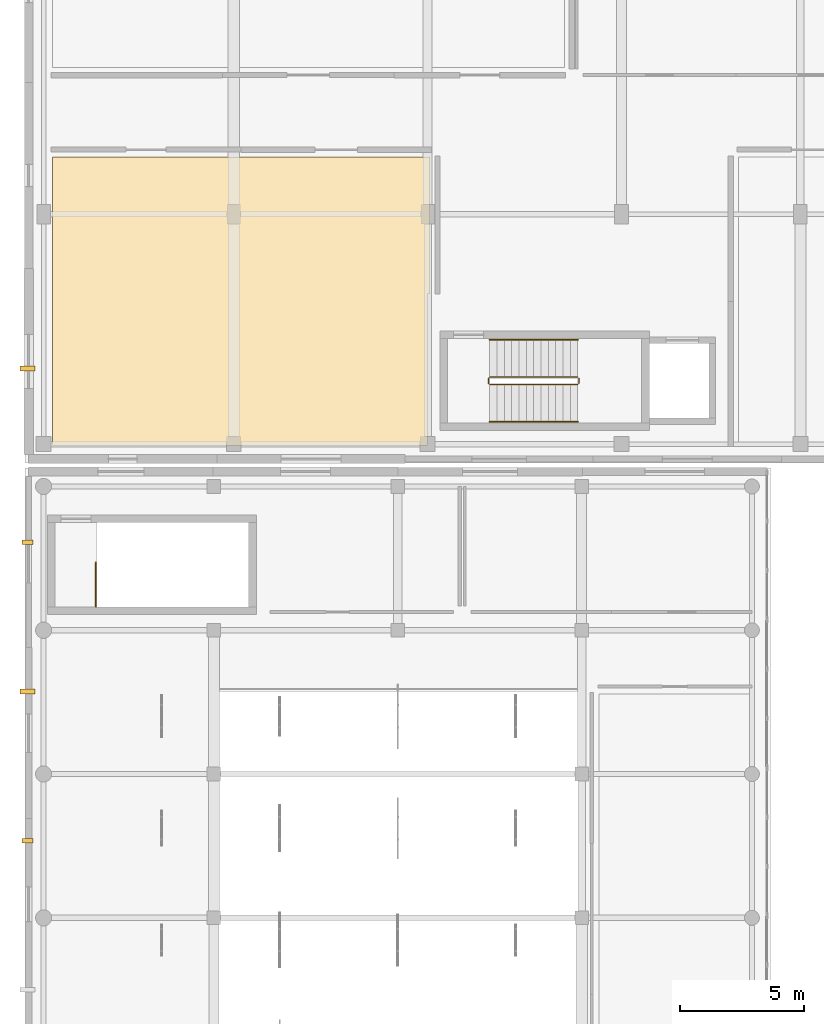
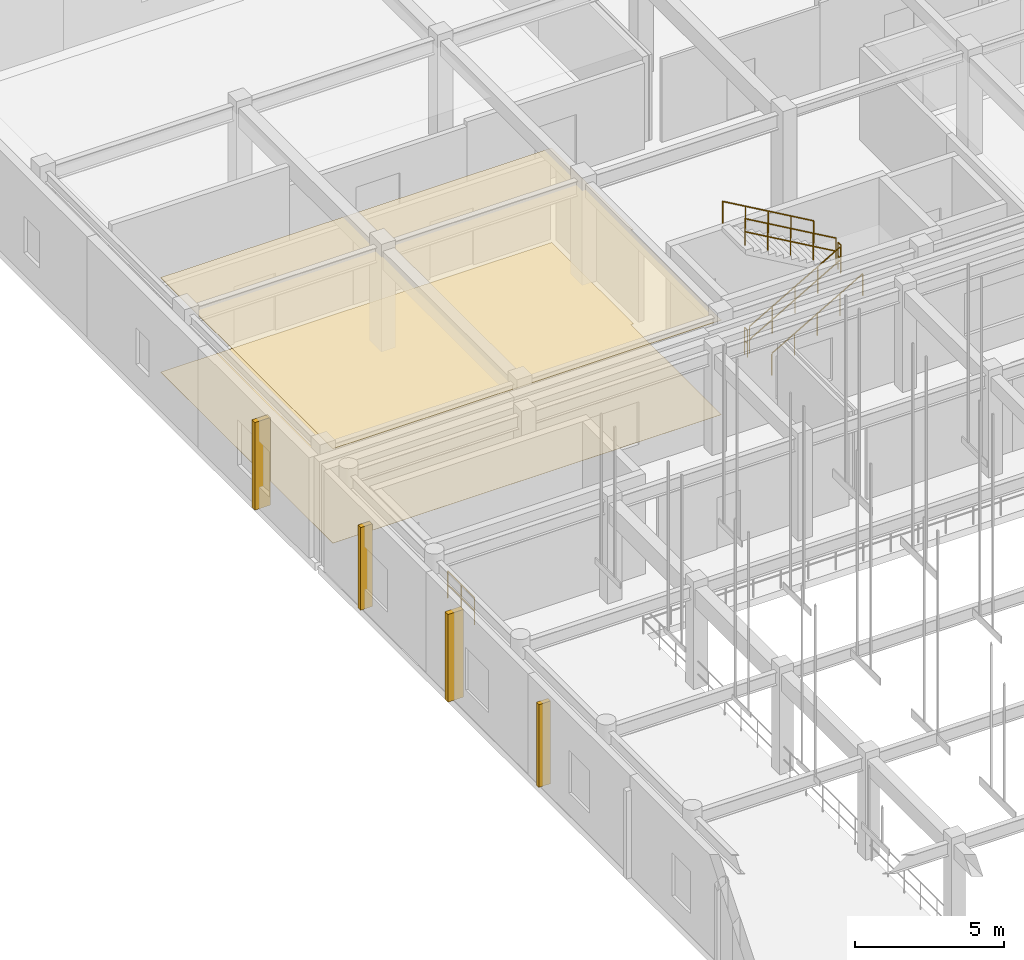
# One storey, part 138 of 142: 7 railings, 4 shading devices, 2 coverings.
"""IFC4 building model written with IfcOpenShell, lengths in metres."""

from ifc_helpers import new_model, si_unit, direction, frame, origin, origin_2d, place, context, subcontext, project, spatial, polyline, rectangle, circle, outline, extrude, material, layer, layer_set, type_object, element, save


model = new_model("IFC4")

# Units and contexts
model_context = context("Model", 3, precision=1e-05, world=origin(), true_north=direction((0.0, 1.0)))
body_context = subcontext(model_context, "Body", "Model", "MODEL_VIEW")
ifc_project = project(units=[si_unit("LENGTHUNIT", "METRE"), si_unit("AREAUNIT", "SQUARE_METRE"), si_unit("VOLUMEUNIT", "CUBIC_METRE"), si_unit("PLANEANGLEUNIT", "RADIAN"), si_unit("MASSUNIT", "GRAM", prefix="KILO")], contexts=[model_context])

# Site, building, storey
site_placement = place(None, origin())
site = spatial("IfcSite", under=ifc_project, at=site_placement, CompositionType="ELEMENT")
building_placement = place(site_placement, origin())
building = spatial("IfcBuilding", under=site, at=building_placement, Name="Valcora Specialist Clinic", CompositionType="ELEMENT")
storey_placement = place(building_placement, frame((0.0, 0.0, 5.10009765625)))
storey = spatial("IfcBuildingStorey", under=building, at=storey_placement, Name="L01", CompositionType="ELEMENT", Elevation=5.10009765625)

# Coverings
ifc_material_1 = material(Name="Acoustic Mineral Ceiling Tile")
ifc_layer_1 = layer(ifc_material_1, 0.02001953125)
ifc_layer_set_1 = layer_set([ifc_layer_1], Name="Acoustic Mineral Ceiling Tile")
covering_type_1 = type_object("IfcCoveringType", Name="TY-CV-CLG020", PredefinedType="CEILING", material=ifc_layer_set_1)
covering_1_placement = place(storey_placement, frame((0.0, 0.0, 3.875)))
element("IfcCovering", 1, at=covering_1_placement, inside=storey, type_object=covering_type_1, Name="Acoustic ceiling tile 8", PredefinedType="CEILING", context=body_context, shape_type="SweptSolid", body=[
    extrude(outline(polyline([(1.10009765625, 92.5), (16.300048828125, 92.5), (16.300048828125, 87.0), (16.199951171875, 87.0), (16.199951171875, 80.89990234375), (1.10009765625, 80.89990234375), (1.10009765625, 92.5)])), origin(), (0.0, 0.0, 1.0), 0.02001953125),
])
ifc_material_2 = material(Name="Antimicrobial Vinyl Clinical Flooring")
ifc_layer_2 = layer(ifc_material_2, 0.008056640625)
ifc_layer_set_2 = layer_set([ifc_layer_2], Name="Antimicrobial Vinyl Clinical Flooring")
covering_type_2 = type_object("IfcCoveringType", Name="TY-CV-FLR008", PredefinedType="FLOORING", material=ifc_layer_set_2)
covering_2_placement = place(storey_placement, origin())
element("IfcCovering", 2, at=covering_2_placement, inside=storey, type_object=covering_type_2, Name="Antimicrobial clinical flooring 8", PredefinedType="FLOORING", context=body_context, shape_type="SweptSolid", body=[
    extrude(outline(polyline([(1.10009765625, 92.5), (16.300048828125, 92.5), (16.300048828125, 87.0), (16.199951171875, 87.0), (16.199951171875, 80.89990234375), (1.10009765625, 80.89990234375), (1.10009765625, 92.5)])), origin(), (0.0, 0.0, 1.0), 0.0078125),
])

# Railings
ifc_material_3 = material(Name="Stainless Steel AISI 316", Category="steel")
railing_type_1 = type_object("IfcRailingType", Name="TY-RL-GRD112", PredefinedType="GUARDRAIL", material=ifc_material_3)
railing_1_placement = place(storey_placement, frame((2.85009765625, 74.39990234375, 0.0)))
element("IfcRailing", 3, at=railing_1_placement, inside=storey, type_object=railing_type_1, Name="L01 ST-V1B top well guard 1", PredefinedType="GUARDRAIL", context=body_context, shape_type="SweptSolid", body=[
    extrude(circle(Radius=0.02392578125, at=origin_2d()), frame((0.0, 0.0, 1.09619140625), z_axis=(0.0, 1.0, 0.0), x_axis=(-1.0, 0.0, 0.0)), (0.0, 0.0, 1.0), 1.800048828125),
    extrude(circle(Radius=0.02392578125, at=origin_2d()), frame((0.0, 0.0, 0.56005859375), z_axis=(0.0, 1.0, 0.0), x_axis=(-1.0, 0.0, 0.0)), (0.0, 0.0, 1.0), 1.800048828125),
    extrude(circle(Radius=0.02099609375, at=origin_2d()), origin(), (0.0, 0.0, 1.0), 1.072021484375),
    extrude(circle(Radius=0.02099609375, at=origin_2d()), frame((0.0, 0.89990234375, 0.0)), (0.0, 0.0, 1.0), 1.072021484375),
    extrude(circle(Radius=0.02099609375, at=origin_2d()), frame((0.0, 1.800048828125, 0.0)), (0.0, 0.0, 1.0), 1.072021484375),
])
railing_2_placement = place(storey_placement, frame((18.699951171875, 83.35009765625, 0.169921875)))
element("IfcRailing", 4, at=railing_2_placement, inside=storey, type_object=railing_type_1, Name="L01 ST-V2A stair guard 1", PredefinedType="GUARDRAIL", context=body_context, shape_type="SweptSolid", body=[
    extrude(circle(Radius=0.02392578125, at=origin_2d()), frame((0.0, 0.0, 1.09619140625), z_axis=(0.866428212428, 0.0, 0.499301665038), x_axis=(0.0, 1.0, 0.0)), (0.0, 0.0, 1.0), 4.085693359375),
    extrude(circle(Radius=0.02392578125, at=origin_2d()), frame((0.0, 0.0, 0.56005859375), z_axis=(0.866428212428, 0.0, 0.499301665038), x_axis=(0.0, 1.0, 0.0)), (0.0, 0.0, 1.0), 4.085693359375),
    extrude(circle(Radius=0.02099609375, at=origin_2d()), origin(), (0.0, 0.0, 1.0), 1.072021484375),
    extrude(circle(Radius=0.02099609375, at=origin_2d()), frame((0.885009765625, 0.0, 0.510009765625)), (0.0, 0.0, 1.0), 1.072021484375),
    extrude(circle(Radius=0.02099609375, at=origin_2d()), frame((1.77001953125, 0.0, 1.02001953125)), (0.0, 0.0, 1.0), 1.072021484375),
    extrude(circle(Radius=0.02099609375, at=origin_2d()), frame((2.655029296875, 0.0, 1.530029296875)), (0.0, 0.0, 1.0), 1.072021484375),
    extrude(circle(Radius=0.02099609375, at=origin_2d()), frame((3.5400390625, 0.0, 2.0400390625)), (0.0, 0.0, 1.0), 1.072021484375),
])
railing_3_placement = place(storey_placement, frame((22.2900390625, 83.39990234375, 2.2099609375)))
element("IfcRailing", 5, at=railing_3_placement, inside=storey, type_object=railing_type_1, Name="L01 ST-V2A stair guard 2", PredefinedType="GUARDRAIL", context=body_context, shape_type="SweptSolid", body=[
    extrude(circle(Radius=0.02392578125, at=origin_2d()), frame((0.0, 0.0, 1.09619140625), z_axis=(0.0, 1.0, 0.0), x_axis=(-1.0, 0.0, 0.0)), (0.0, 0.0, 1.0), 0.2001953125),
    extrude(circle(Radius=0.02392578125, at=origin_2d()), frame((0.0, 0.0, 0.56005859375), z_axis=(0.0, 1.0, 0.0), x_axis=(-1.0, 0.0, 0.0)), (0.0, 0.0, 1.0), 0.2001953125),
    extrude(circle(Radius=0.02099609375, at=origin_2d()), origin(), (0.0, 0.0, 1.0), 1.072021484375),
    extrude(circle(Radius=0.02099609375, at=origin_2d()), frame((0.0, 0.2001953125, 0.0)), (0.0, 0.0, 1.0), 1.072021484375),
])
railing_4_placement = place(storey_placement, frame((22.239990234375, 83.64990234375, 2.3798828125)))
element("IfcRailing", 6, at=railing_4_placement, inside=storey, type_object=railing_type_1, Name="L01 ST-V2A stair guard 3", PredefinedType="GUARDRAIL", context=body_context, shape_type="SweptSolid", body=[
    extrude(circle(Radius=0.02392578125, at=origin_2d()), frame((0.0, 0.0, 1.09619140625), z_axis=(-0.866428212428, 0.0, 0.499301665038), x_axis=(0.0, -1.0, 0.0)), (0.0, 0.0, 1.0), 4.085693359375),
    extrude(circle(Radius=0.02392578125, at=origin_2d()), frame((0.0, 0.0, 0.56005859375), z_axis=(-0.866428212428, 0.0, 0.499301665038), x_axis=(0.0, -1.0, 0.0)), (0.0, 0.0, 1.0), 4.085693359375),
    extrude(circle(Radius=0.02099609375, at=origin_2d()), origin(), (0.0, 0.0, 1.0), 1.072021484375),
    extrude(circle(Radius=0.02099609375, at=origin_2d()), frame((-0.885009765625, 0.0, 0.510009765625)), (0.0, 0.0, 1.0), 1.072021484375),
    extrude(circle(Radius=0.02099609375, at=origin_2d()), frame((-1.77001953125, 0.0, 1.02001953125)), (0.0, 0.0, 1.0), 1.072021484375),
    extrude(circle(Radius=0.02099609375, at=origin_2d()), frame((-2.655029296875, 0.0, 1.530029296875)), (0.0, 0.0, 1.0), 1.072021484375),
    extrude(circle(Radius=0.02099609375, at=origin_2d()), frame((-3.5400390625, 0.0, 2.0400390625)), (0.0, 0.0, 1.0), 1.072021484375),
])
railing_5_placement = place(storey_placement, frame((18.64990234375, 83.39990234375, 0.0)))
element("IfcRailing", 7, at=railing_5_placement, inside=storey, type_object=railing_type_1, Name="L01 ST-V2A stair guard 4", PredefinedType="GUARDRAIL", context=body_context, shape_type="SweptSolid", body=[
    extrude(circle(Radius=0.02392578125, at=origin_2d()), frame((0.0, 0.0, 1.09619140625), z_axis=(0.0, 1.0, 0.0), x_axis=(-1.0, 0.0, 0.0)), (0.0, 0.0, 1.0), 0.2001953125),
    extrude(circle(Radius=0.02392578125, at=origin_2d()), frame((0.0, 0.0, 0.56005859375), z_axis=(0.0, 1.0, 0.0), x_axis=(-1.0, 0.0, 0.0)), (0.0, 0.0, 1.0), 0.2001953125),
    extrude(circle(Radius=0.02099609375, at=origin_2d()), origin(), (0.0, 0.0, 1.0), 1.072021484375),
    extrude(circle(Radius=0.02099609375, at=origin_2d()), frame((0.0, 0.2001953125, 0.0)), (0.0, 0.0, 1.0), 1.072021484375),
])
railing_type_2 = type_object("IfcRailingType", Name="TY-RL-HND092", PredefinedType="HANDRAIL", material=ifc_material_3)
railing_6_placement = place(storey_placement, frame((18.699951171875, 81.85009765625, 0.169921875)))
element("IfcRailing", 8, at=railing_6_placement, inside=storey, type_object=railing_type_2, Name="L01 ST-V2A stair handrail 1", PredefinedType="HANDRAIL", context=body_context, shape_type="SweptSolid", body=[
    extrude(circle(Radius=0.02392578125, at=origin_2d()), frame((0.0, 0.0, 0.89599609375), z_axis=(0.866428212428, 0.0, 0.499301665038), x_axis=(0.0, 1.0, 0.0)), (0.0, 0.0, 1.0), 4.085693359375),
    extrude(circle(Radius=0.02099609375, at=origin_2d()), origin(), (0.0, 0.0, 1.0), 0.871826171875),
    extrude(circle(Radius=0.02099609375, at=origin_2d()), frame((0.885009765625, 0.0, 0.510009765625)), (0.0, 0.0, 1.0), 0.871826171875),
    extrude(circle(Radius=0.02099609375, at=origin_2d()), frame((1.77001953125, 0.0, 1.02001953125)), (0.0, 0.0, 1.0), 0.871826171875),
    extrude(circle(Radius=0.02099609375, at=origin_2d()), frame((2.655029296875, 0.0, 1.530029296875)), (0.0, 0.0, 1.0), 0.871826171875),
    extrude(circle(Radius=0.02099609375, at=origin_2d()), frame((3.5400390625, 0.0, 2.0400390625)), (0.0, 0.0, 1.0), 0.871826171875),
])
railing_7_placement = place(storey_placement, frame((22.239990234375, 85.14990234375, 2.3798828125)))
element("IfcRailing", 9, at=railing_7_placement, inside=storey, type_object=railing_type_2, Name="L01 ST-V2A stair handrail 2", PredefinedType="HANDRAIL", context=body_context, shape_type="SweptSolid", body=[
    extrude(circle(Radius=0.02392578125, at=origin_2d()), frame((0.0, 0.0, 0.89599609375), z_axis=(-0.866428212428, 0.0, 0.499301665038), x_axis=(0.0, -1.0, 0.0)), (0.0, 0.0, 1.0), 4.085693359375),
    extrude(circle(Radius=0.02099609375, at=origin_2d()), origin(), (0.0, 0.0, 1.0), 0.871826171875),
    extrude(circle(Radius=0.02099609375, at=origin_2d()), frame((-0.885009765625, 0.0, 0.510009765625)), (0.0, 0.0, 1.0), 0.871826171875),
    extrude(circle(Radius=0.02099609375, at=origin_2d()), frame((-1.77001953125, 0.0, 1.02001953125)), (0.0, 0.0, 1.0), 0.871826171875),
    extrude(circle(Radius=0.02099609375, at=origin_2d()), frame((-2.655029296875, 0.0, 1.530029296875)), (0.0, 0.0, 1.0), 0.871826171875),
    extrude(circle(Radius=0.02099609375, at=origin_2d()), frame((-3.5400390625, 0.0, 2.0400390625)), (0.0, 0.0, 1.0), 0.871826171875),
])

# Shading devices
ifc_material_4 = material(Name="Extruded Jalisco Clay Brick Masonry", Category="masonry")
ifc_layer_3 = layer(ifc_material_4, 0.449951171875)
ifc_layer_set_3 = layer_set([ifc_layer_3], Name="Extruded Jalisco Clay Brick Masonry")
shading_device_type_1 = type_object("IfcShadingDeviceType", Name="TY-SD-FIN045", PredefinedType="USERDEFINED", material=ifc_layer_set_3)
for number, where, z_axis, x_axis, name in (
    (10, (0.10009765625, 65.0, 0.099853515625), (0.0, 0.0, 1.0), (1.0, 0.0, 0.0), "Vertical brick solar fin 35"),
    (11, (0.10009765625, 77.0, 0.099853515625), (0.0, 0.0, 1.0), (1.0, 0.0, 0.0), "Vertical brick solar fin 37"),
):
    element("IfcShadingDevice", number, at=place(storey_placement, frame(where, z_axis=z_axis, x_axis=x_axis)), inside=storey, type_object=shading_device_type_1, Name=name, ObjectType="VERTICAL BRICK FIN", PredefinedType="USERDEFINED", context=body_context, shape_type="SweptSolid", body=[
        extrude(rectangle(XDim=0.449951171875, YDim=0.179931640625, at=origin_2d()), origin(), (0.0, 0.0, 1.0), 3.39990234375),
    ])
ifc_layer_4 = layer(ifc_material_4, 0.60009765625)
ifc_layer_set_4 = layer_set([ifc_layer_4], Name="Extruded Jalisco Clay Brick Masonry")
shading_device_type_2 = type_object("IfcShadingDeviceType", Name="TY-SD-FIN060", PredefinedType="USERDEFINED", material=ifc_layer_set_4)
for number, where, z_axis, x_axis, name in (
    (12, (0.10009765625, 71.0, -0.000244140625), (0.0, 0.0, 1.0), (1.0, 0.0, 0.0), "Vertical brick solar fin 36"),
    (13, (0.10009765625, 84.0, -0.000244140625), (0.0, 0.0, 1.0), (1.0, 0.0, 0.0), "Vertical brick solar fin 38"),
):
    element("IfcShadingDevice", number, at=place(storey_placement, frame(where, z_axis=z_axis, x_axis=x_axis)), inside=storey, type_object=shading_device_type_2, Name=name, ObjectType="VERTICAL BRICK FIN", PredefinedType="USERDEFINED", context=body_context, shape_type="SweptSolid", body=[
        extrude(rectangle(XDim=0.60009765625, YDim=0.199951171875, at=origin_2d()), origin(), (0.0, 0.0, 1.0), 3.60009765625),
    ])

save(model, "model.ifc")
